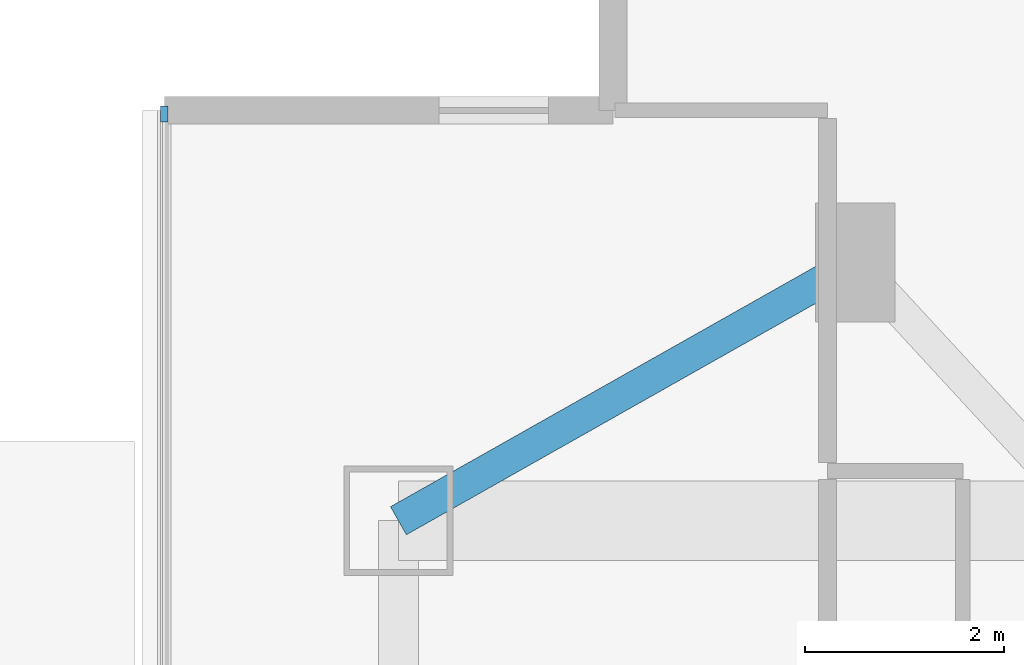
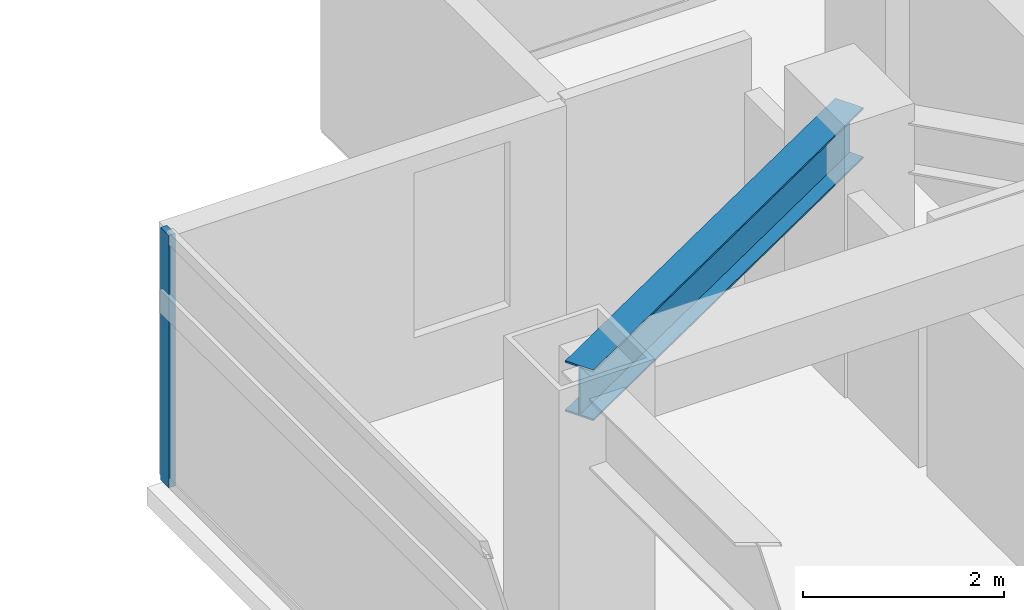
# One storey, part 6 of 26: 1 beam, 1 member, 1 element without a shape of its own.
"""IFC4 building model written with IfcOpenShell, lengths in metres."""

import ifcopenshell
import ifcopenshell.guid

model = None  # the IFC model being written
_history = None  # IfcOwnerHistory: only IFC2X3 demands one
_inside = {}  # id of a spatial element -> (the spatial element, [elements in it])
_under = {}  # id of a project, library or spatial element -> (it, [spatial elements below it])
_declared = {}  # id of a project -> (the project, [libraries it declares])
_typed = {}  # id of a type object -> (the type object, [elements of that type])
_made_of = {}  # id of a material, layer set ... -> (it, [elements and type objects made of it])


def new_model(schema):
    """Start an empty IFC model of exactly this schema.

    Asked for "IFC4X3", IfcOpenShell would pick the latest addendum, in which some entities
    have other attributes; the version numbers below select the first issue.
    IFC2X3 requires an IfcOwnerHistory on every rooted entity: one is made here for all.
    """
    global model, _history
    if schema == "IFC4X3":
        model = ifcopenshell.file(schema_version=(4, 3, 0, 0))
    else:
        model = ifcopenshell.file(schema=schema)
    _inside.clear()
    _under.clear()
    _declared.clear()
    _typed.clear()
    _made_of.clear()
    _history = None
    if model.schema == "IFC2X3":
        org = make("IfcOrganization", Name="unknown")
        user = make(
            "IfcPersonAndOrganization",
            ThePerson=make("IfcPerson", FamilyName="unknown"),
            TheOrganization=org,
        )
        app = make(
            "IfcApplication",
            ApplicationDeveloper=org,
            Version="unknown",
            ApplicationFullName="unknown",
            ApplicationIdentifier="unknown",
        )
        _history = make(
            "IfcOwnerHistory",
            OwningUser=user,
            OwningApplication=app,
            ChangeAction="ADDED",
            CreationDate=0,
        )
    return model


def make(cls, **values):
    """One entity of the class cls with the attributes given. An attribute that is None is left unset."""
    return model.create_entity(
        cls, **{name: value for name, value in values.items() if value is not None}
    )


def rooted(cls, **values):
    """An entity with a GlobalId (a new one), such as an element, a storey or a relation."""
    return make(cls, GlobalId=ifcopenshell.guid.new(), OwnerHistory=_history, **values)


def si_unit(unit_type, name, prefix=None):
    """IfcSIUnit, for example si_unit("LENGTHUNIT", "METRE", prefix="MILLI")."""
    return make("IfcSIUnit", UnitType=unit_type, Prefix=prefix, Name=name)


def assignment(units):
    """IfcUnitAssignment: the units of a project."""
    return None if units is None else make("IfcUnitAssignment", Units=units)


def point(xyz):
    """IfcCartesianPoint."""
    return None if xyz is None else make("IfcCartesianPoint", Coordinates=xyz)


def direction(xyz):
    """IfcDirection."""
    return None if xyz is None else make("IfcDirection", DirectionRatios=xyz)


def frame(location, z_axis=None, x_axis=None):
    """IfcAxis2Placement3D, a coordinate frame: its origin and axes. An axis left out is left unset."""
    return make(
        "IfcAxis2Placement3D",
        Location=point(location),
        Axis=direction(z_axis),
        RefDirection=direction(x_axis),
    )


def frame_2d(location, x_axis=None):
    """IfcAxis2Placement2D, a coordinate frame in the plane: its origin and x axis."""
    return make(
        "IfcAxis2Placement2D", Location=point(location), RefDirection=direction(x_axis)
    )


def origin():
    """The frame at (0, 0, 0) with its axes left unset."""
    return frame((0.0, 0.0, 0.0))


def origin_2d():
    """The frame at (0, 0) in the plane with its x axis left unset."""
    return frame_2d((0.0, 0.0))


def place(relative_to, where):
    """IfcLocalPlacement: puts the frame where relative to a parent placement (None: the world)."""
    return make(
        "IfcLocalPlacement", PlacementRelTo=relative_to, RelativePlacement=where
    )


def context(
    kind, dimensions, precision=None, world=None, true_north=None, identifier=None
):
    """IfcGeometricRepresentationContext, for example the 3D "Model" context."""
    return make(
        "IfcGeometricRepresentationContext",
        ContextIdentifier=identifier,
        ContextType=kind,
        CoordinateSpaceDimension=dimensions,
        Precision=precision,
        WorldCoordinateSystem=world,
        TrueNorth=true_north,
    )


def subcontext(parent, identifier, kind, view, scale=None):
    """IfcGeometricRepresentationSubContext, for example "Body" below "Model"."""
    return make(
        "IfcGeometricRepresentationSubContext",
        ContextIdentifier=identifier,
        ContextType=kind,
        ParentContext=parent,
        TargetScale=scale,
        TargetView=view,
    )


def project(units=None, contexts=None):
    """IfcProject with its units and contexts."""
    return rooted(
        "IfcProject",
        Name="project",
        RepresentationContexts=contexts,
        UnitsInContext=assignment(units),
    )


def spatial(cls, under=None, at=None, **own):
    """A site, building, storey or space (cls), placed at a placement, below another one or the project."""
    s = rooted(cls, ObjectPlacement=at, **own)
    if under is not None:
        _under.setdefault(under.id(), (under, []))[1].append(s)
    return s


def profile(cls, at=None, kind="AREA", **sizes):
    """A parametric profile (cls). Its sizes go by their IFC names, for example OverallWidth=200.0."""
    return make(cls, ProfileType=kind, Position=at, **sizes)


def rectangle(**sizes):
    """IfcRectangleProfileDef."""
    return profile("IfcRectangleProfileDef", **sizes)


def i_section(**sizes):
    """IfcIShapeProfileDef."""
    return profile("IfcIShapeProfileDef", **sizes)


def extrude(swept, where, along, depth):
    """IfcExtrudedAreaSolid: the profile swept, set in the frame where, extruded along a direction by depth."""
    return make(
        "IfcExtrudedAreaSolid",
        SweptArea=swept,
        Position=where,
        ExtrudedDirection=direction(along),
        Depth=depth,
    )


def shape(context_of_items, identifier, shape_type, items):
    """IfcShapeRepresentation: the items that make up one representation, for example the "Body"."""
    return make(
        "IfcShapeRepresentation",
        ContextOfItems=context_of_items,
        RepresentationIdentifier=identifier,
        RepresentationType=shape_type,
        Items=items,
    )


def material(Name=None, Category=None):
    """IfcMaterial."""
    return make("IfcMaterial", Name=Name, Category=Category)


def material_profile(
    of_material, cross_section, Name=None, Category=None, Priority=None
):
    """IfcMaterialProfile: a cross section and its material."""
    return make(
        "IfcMaterialProfile",
        Name=Name,
        Material=of_material,
        Profile=cross_section,
        Priority=Priority,
        Category=Category,
    )


def profile_set(profiles, Name=None, composite=None):
    """IfcMaterialProfileSet."""
    return make(
        "IfcMaterialProfileSet",
        Name=Name,
        MaterialProfiles=profiles,
        CompositeProfile=composite,
    )


def made_of(thing, what):
    """Note that an element or type object is made of a material, layer set ...; save() writes the relation."""
    if what is not None:
        _made_of.setdefault(what.id(), (what, []))[1].append(thing)
    return thing


def type_object(cls, material=None, **own):
    """A type object (cls), such as IfcWallType, which elements share."""
    return made_of(rooted(cls, **own), material)


def element(
    cls,
    number,
    at=None,
    inside=None,
    cuts=None,
    type_object=None,
    material=None,
    context=None,
    identifier="Body",
    shape_type=None,
    held_by="IfcProductDefinitionShape",
    body=None,
    shapes=None,
    **own,
):
    """One element of the class cls, such as IfcWall. Its Tag is "e" and its number.

    at: its placement. inside: the storey or other place that contains it. cuts: it is an
    opening in that element (IfcRelVoidsElement). A single representation is given by context,
    identifier, shape_type and body (its items); several are given by shapes. held_by: the class
    of the entity that holds the representations. save() writes the other relations.
    """
    e = rooted(cls, Tag="e%d" % number, ObjectPlacement=at, **own)
    if body is not None:
        shapes = [shape(context, identifier, shape_type, body)]
    if shapes is not None:
        e.Representation = make(held_by, Representations=shapes)
    if inside is not None:
        _inside.setdefault(inside.id(), (inside, []))[1].append(e)
    if cuts is not None:
        rooted(
            "IfcRelVoidsElement", RelatingBuildingElement=cuts, RelatedOpeningElement=e
        )
    if type_object is not None:
        _typed.setdefault(type_object.id(), (type_object, []))[1].append(e)
    return made_of(e, material)


def aggregate(whole, parts):
    """IfcRelAggregates: a whole, such as a stair, and the parts it consists of."""
    return rooted("IfcRelAggregates", RelatingObject=whole, RelatedObjects=parts)


def save(model, path):
    """Write the relations noted so far, then the file.

    IfcRelAggregates (storeys below a building ...), IfcRelContainedInSpatialStructure (elements
    in a storey), IfcRelDefinesByType, IfcRelAssociatesMaterial and IfcRelDeclares: one each for
    every whole, place, type object, material and project.
    """
    for whole, parts in _under.values():
        aggregate(whole, parts)
    for where, things in _inside.values():
        rooted(
            "IfcRelContainedInSpatialStructure",
            RelatedElements=things,
            RelatingStructure=where,
        )
    for kind, things in _typed.values():
        rooted("IfcRelDefinesByType", RelatedObjects=things, RelatingType=kind)
    for what, things in _made_of.values():
        rooted("IfcRelAssociatesMaterial", RelatedObjects=things, RelatingMaterial=what)
    for by, libraries in _declared.values():
        rooted("IfcRelDeclares", RelatingContext=by, RelatedDefinitions=libraries)
    model.write(path)


model = new_model("IFC4")

# Units and contexts
model_context = context("Model", 3, precision=1e-05, world=origin(), true_north=direction((0.0, 1.0)))
body_context = subcontext(model_context, "Body", "Model", "MODEL_VIEW")
ifc_project = project(units=[si_unit("LENGTHUNIT", "METRE"), si_unit("AREAUNIT", "SQUARE_METRE"), si_unit("VOLUMEUNIT", "CUBIC_METRE"), si_unit("PLANEANGLEUNIT", "RADIAN"), si_unit("MASSUNIT", "GRAM", prefix="KILO")], contexts=[model_context])

# Site, building, storey
site_placement = place(None, origin())
site = spatial("IfcSite", under=ifc_project, at=site_placement, CompositionType="ELEMENT")
building_placement = place(site_placement, origin())
building = spatial("IfcBuilding", under=site, at=building_placement, Name="Mirazonda Arch Towers", CompositionType="ELEMENT")
storey_placement = place(building_placement, frame((0.0, 0.0, 98.300048828125)))
storey = spatial("IfcBuildingStorey", under=building, at=storey_placement, Name="L27", CompositionType="ELEMENT", Elevation=98.300048828125)

# Beam
ifc_material_1 = material(Name="Steel ASTM A992 Grade 50", Category="steel")
ifc_material_profile_1 = material_profile(ifc_material_1, i_section(OverallWidth=0.324951171875, OverallDepth=0.615966796875, WebThickness=0.013916015625, FlangeThickness=0.021484375, at=origin_2d()), Name="W24X117")
ifc_profile_set_1 = profile_set([ifc_material_profile_1], Name="Steel ASTM A992 Grade 50")
beam_type = type_object("IfcBeamType", Name="BM-INT-W24X117", PredefinedType="BEAM", material=ifc_profile_set_1)
beam_placement = place(storey_placement, frame((65.60009765625, 37.800048828125, 2.77197265625), z_axis=(-0.870559396632, -0.492063346467, 0.0), x_axis=(0.492063346467, -0.870559396632, 0.0)))
element("IfcBeam", 1, at=beam_placement, inside=storey, type_object=beam_type, Name="L27 Floor Beam BM-T2-L27-PL-NW2", PredefinedType="BEAM", context=body_context, shape_type="SweptSolid", body=[
    extrude(i_section(OverallWidth=0.324951171875, OverallDepth=0.615966796875, WebThickness=0.013916015625, FlangeThickness=0.021484375, at=origin_2d()), origin(), (0.0, 0.0, 1.0), 5.2841796875),
])

# Curtain wall, member
ifc_material_2 = material(Name="Anodised Aluminium and Low-E Glass", Category="aluminium")
curtain_wall_type = type_object("IfcCurtainWallType", Name="CW-HTL-UNIT", PredefinedType="NOTDEFINED", material=ifc_material_2)
curtain_wall_placement = place(storey_placement, origin())
curtain_wall = element("IfcCurtainWall", 2, at=curtain_wall_placement, inside=storey, type_object=curtain_wall_type, Name="L27 T2 W Facade CW-L27-T2-W", PredefinedType="NOTDEFINED")
ifc_material_3 = material(Name="Anodised Aluminium Alloy", Category="aluminium")
ifc_material_profile_2 = material_profile(ifc_material_3, rectangle(XDim=0.074951171875, YDim=0.1650390625, at=origin_2d()), Name="ALU-MULL-75x165")
ifc_profile_set_2 = profile_set([ifc_material_profile_2], Name="Anodised Aluminium Alloy")
member_type = type_object("IfcMemberType", Name="MULL-CW-HTL-UNIT", PredefinedType="MULLION", material=ifc_profile_set_2)
member_placement = place(storey_placement, frame((58.6435546875, 39.293701171875, 0.0), z_axis=(0.0, 0.0, 1.0), x_axis=(1.0, 0.0, 0.0)))
member = element("IfcMember", 3, at=member_placement, type_object=member_type, Name="CW-112 mullion 1", PredefinedType="MULLION", context=body_context, shape_type="SweptSolid", body=[
    extrude(rectangle(XDim=0.074951171875, YDim=0.1650390625, at=origin_2d()), origin(), (0.0, 0.0, 1.0), 3.06005859375),
])
aggregate(curtain_wall, [member])

save(model, "model.ifc")
